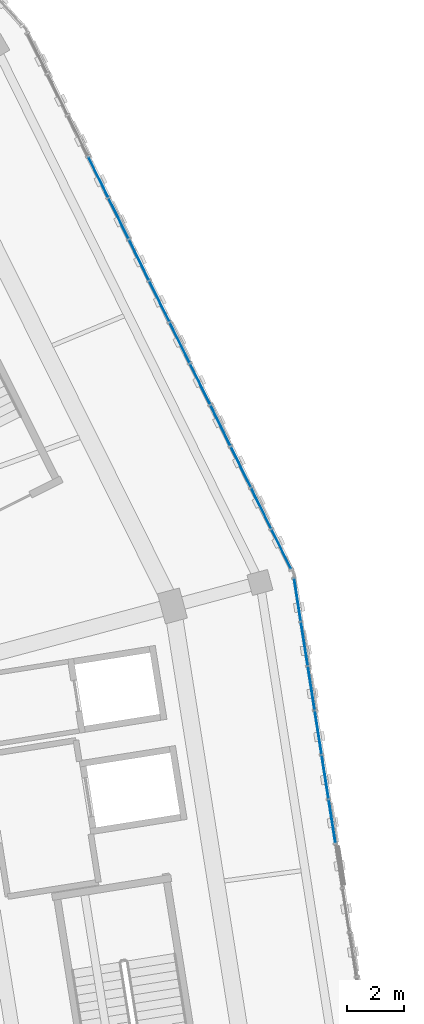
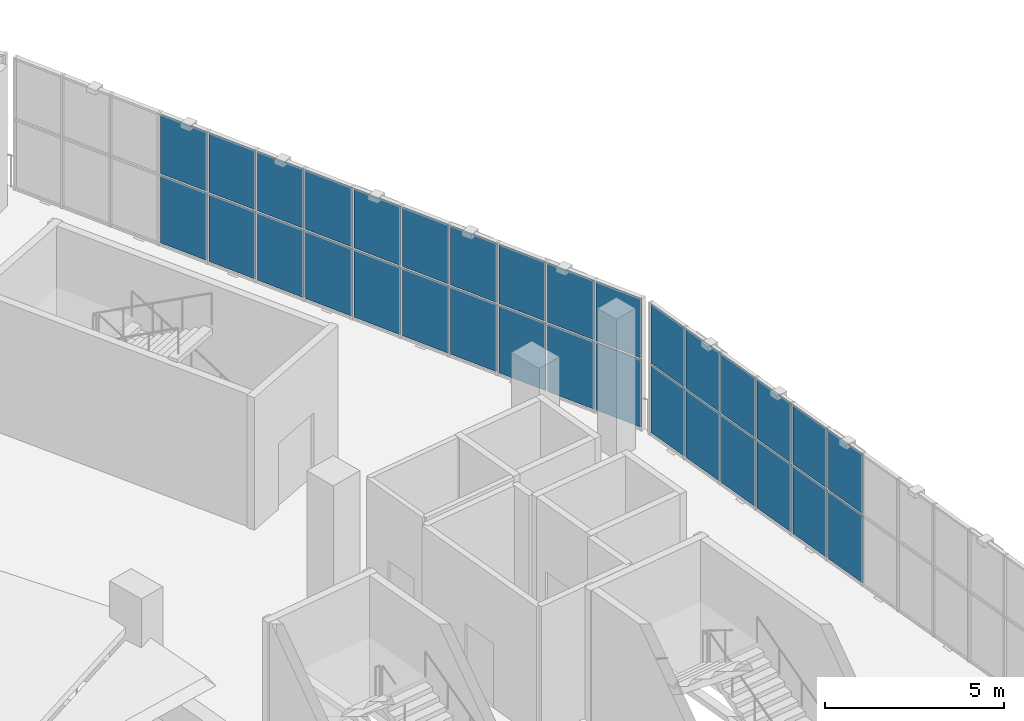
# One storey, part 85 of 183: 32 plates, 2 elements without a shape of their own.
"""IFC4 building model written with IfcOpenShell, lengths in metres."""

from ifc_helpers import new_model, si_unit, direction, frame, origin, origin_2d, place, context, subcontext, project, spatial, rectangle, extrude, material, layer, layer_set, type_object, element, aggregate, save


model = new_model("IFC4")

# Units and contexts
model_context = context("Model", 3, precision=1e-05, world=origin(), true_north=direction((0.0, 1.0)))
body_context = subcontext(model_context, "Body", "Model", "MODEL_VIEW")
ifc_project = project(units=[si_unit("LENGTHUNIT", "METRE"), si_unit("AREAUNIT", "SQUARE_METRE"), si_unit("VOLUMEUNIT", "CUBIC_METRE"), si_unit("PLANEANGLEUNIT", "RADIAN"), si_unit("MASSUNIT", "GRAM", prefix="KILO")], contexts=[model_context])

# Site, building, storey
site_placement = place(None, origin())
site = spatial("IfcSite", under=ifc_project, at=site_placement, CompositionType="ELEMENT")
building_placement = place(site_placement, origin())
building = spatial("IfcBuilding", under=site, at=building_placement, Name="Zevraka Park Crest Stadium", CompositionType="ELEMENT")
storey_placement = place(building_placement, frame((0.0, 0.0, 5.39990234375)))
storey = spatial("IfcBuildingStorey", under=building, at=storey_placement, Name="L01", CompositionType="ELEMENT", Elevation=5.39990234375)

# Curtain wall, plates
ifc_material_1 = material(Name="Anodised architectural aluminium and laminated safety glass", Category="aluminium")
curtain_wall_type_1 = type_object("IfcCurtainWallType", Name="CW01", PredefinedType="NOTDEFINED", material=ifc_material_1)
curtain_wall_1_placement = place(storey_placement, origin())
curtain_wall_1 = element("IfcCurtainWall", 1, at=curtain_wall_1_placement, inside=storey, type_object=curtain_wall_type_1, Name="Unitised Ring Curtain Wall CW01 L01-00", PredefinedType="NOTDEFINED")
ifc_material_2 = material(Name="Solar-control laminated double glazing", Category="glass")
ifc_layer_1 = layer(ifc_material_2, 0.028076171875)
ifc_layer_set_1 = layer_set([ifc_layer_1], Name="Solar-control laminated double glazing")
plate_type_1 = type_object("IfcPlateType", Name="CP01", PredefinedType="CURTAIN_PANEL", material=ifc_layer_set_1)
plate_1_placement = place(storey_placement, frame((204.86083984375, 103.882080078125, 0.06005859375), z_axis=(0.0, 0.0, 1.0), x_axis=(-0.154475977394, 0.987996544735, 0.0)))
plate_1 = element("IfcPlate", 2, at=plate_1_placement, type_object=plate_type_1, Name="CW01 panel 8.1", PredefinedType="CURTAIN_PANEL", context=body_context, shape_type="SweptSolid", body=[
    extrude(rectangle(XDim=1.526611328125, YDim=0.028076171875, at=origin_2d()), origin(), (0.0, 0.0, 1.0), 2.31005859375),
])
plate_2_placement = place(storey_placement, frame((204.86083984375, 103.882080078125, 2.43017578125), z_axis=(0.0, 0.0, 1.0), x_axis=(-0.154475977394, 0.987996544735, 0.0)))
plate_2 = element("IfcPlate", 3, at=plate_2_placement, type_object=plate_type_1, Name="CW01 panel 8.2", PredefinedType="CURTAIN_PANEL", context=body_context, shape_type="SweptSolid", body=[
    extrude(rectangle(XDim=1.526611328125, YDim=0.028076171875, at=origin_2d()), origin(), (0.0, 0.0, 1.0), 2.030029296875),
])
plate_3_placement = place(storey_placement, frame((204.615966796875, 105.449462890625, 0.06005859375), z_axis=(0.0, 0.0, 1.0), x_axis=(-0.154475977394, 0.987996544735, 0.0)))
plate_3 = element("IfcPlate", 4, at=plate_3_placement, type_object=plate_type_1, Name="CW01 panel 9.1", PredefinedType="CURTAIN_PANEL", context=body_context, shape_type="SweptSolid", body=[
    extrude(rectangle(XDim=1.526611328125, YDim=0.028076171875, at=origin_2d()), origin(), (0.0, 0.0, 1.0), 2.31005859375),
])
plate_4_placement = place(storey_placement, frame((204.615966796875, 105.449462890625, 2.43017578125), z_axis=(0.0, 0.0, 1.0), x_axis=(-0.154475977394, 0.987996544735, 0.0)))
plate_4 = element("IfcPlate", 5, at=plate_4_placement, type_object=plate_type_1, Name="CW01 panel 9.2", PredefinedType="CURTAIN_PANEL", context=body_context, shape_type="SweptSolid", body=[
    extrude(rectangle(XDim=1.526611328125, YDim=0.028076171875, at=origin_2d()), origin(), (0.0, 0.0, 1.0), 2.030029296875),
])
plate_5_placement = place(storey_placement, frame((204.370849609375, 107.016845703125, 0.06005859375), z_axis=(0.0, 0.0, 1.0), x_axis=(-0.154475977394, 0.987996544735, 0.0)))
plate_5 = element("IfcPlate", 6, at=plate_5_placement, type_object=plate_type_1, Name="CW01 panel 10.1", PredefinedType="CURTAIN_PANEL", context=body_context, shape_type="SweptSolid", body=[
    extrude(rectangle(XDim=1.526611328125, YDim=0.028076171875, at=origin_2d()), origin(), (0.0, 0.0, 1.0), 2.31005859375),
])
plate_6_placement = place(storey_placement, frame((204.370849609375, 107.016845703125, 2.43017578125), z_axis=(0.0, 0.0, 1.0), x_axis=(-0.154475977394, 0.987996544735, 0.0)))
plate_6 = element("IfcPlate", 7, at=plate_6_placement, type_object=plate_type_1, Name="CW01 panel 10.2", PredefinedType="CURTAIN_PANEL", context=body_context, shape_type="SweptSolid", body=[
    extrude(rectangle(XDim=1.526611328125, YDim=0.028076171875, at=origin_2d()), origin(), (0.0, 0.0, 1.0), 2.030029296875),
])
plate_7_placement = place(storey_placement, frame((204.125732421875, 108.584228515625, 0.06005859375), z_axis=(0.0, 0.0, 1.0), x_axis=(-0.154475977394, 0.987996544735, 0.0)))
plate_7 = element("IfcPlate", 8, at=plate_7_placement, type_object=plate_type_1, Name="CW01 panel 11.1", PredefinedType="CURTAIN_PANEL", context=body_context, shape_type="SweptSolid", body=[
    extrude(rectangle(XDim=1.526611328125, YDim=0.028076171875, at=origin_2d()), origin(), (0.0, 0.0, 1.0), 2.31005859375),
])
plate_8_placement = place(storey_placement, frame((204.125732421875, 108.584228515625, 2.43017578125), z_axis=(0.0, 0.0, 1.0), x_axis=(-0.154475977394, 0.987996544735, 0.0)))
plate_8 = element("IfcPlate", 9, at=plate_8_placement, type_object=plate_type_1, Name="CW01 panel 11.2", PredefinedType="CURTAIN_PANEL", context=body_context, shape_type="SweptSolid", body=[
    extrude(rectangle(XDim=1.526611328125, YDim=0.028076171875, at=origin_2d()), origin(), (0.0, 0.0, 1.0), 2.030029296875),
])
plate_9_placement = place(storey_placement, frame((203.880615234375, 110.15185546875, 0.06005859375), z_axis=(0.0, 0.0, 1.0), x_axis=(-0.154475977394, 0.987996544735, 0.0)))
plate_9 = element("IfcPlate", 10, at=plate_9_placement, type_object=plate_type_1, Name="CW01 panel 12.1", PredefinedType="CURTAIN_PANEL", context=body_context, shape_type="SweptSolid", body=[
    extrude(rectangle(XDim=1.526611328125, YDim=0.028076171875, at=origin_2d()), origin(), (0.0, 0.0, 1.0), 2.31005859375),
])
plate_10_placement = place(storey_placement, frame((203.880615234375, 110.15185546875, 2.43017578125), z_axis=(0.0, 0.0, 1.0), x_axis=(-0.154475977394, 0.987996544735, 0.0)))
plate_10 = element("IfcPlate", 11, at=plate_10_placement, type_object=plate_type_1, Name="CW01 panel 12.2", PredefinedType="CURTAIN_PANEL", context=body_context, shape_type="SweptSolid", body=[
    extrude(rectangle(XDim=1.526611328125, YDim=0.028076171875, at=origin_2d()), origin(), (0.0, 0.0, 1.0), 2.030029296875),
])
plate_11_placement = place(storey_placement, frame((203.637939453125, 111.704345703125, 0.06005859375), z_axis=(0.0, 0.0, 1.0), x_axis=(-0.154475977394, 0.987996544735, 0.0)))
plate_11 = element("IfcPlate", 12, at=plate_11_placement, type_object=plate_type_1, Name="CW01 panel 13.1", PredefinedType="CURTAIN_PANEL", context=body_context, shape_type="SweptSolid", body=[
    extrude(rectangle(XDim=1.49658203125, YDim=0.028076171875, at=origin_2d()), origin(), (0.0, 0.0, 1.0), 2.31005859375),
])
plate_12_placement = place(storey_placement, frame((203.637939453125, 111.704345703125, 2.43017578125), z_axis=(0.0, 0.0, 1.0), x_axis=(-0.154475977394, 0.987996544735, 0.0)))
plate_12 = element("IfcPlate", 13, at=plate_12_placement, type_object=plate_type_1, Name="CW01 panel 13.2", PredefinedType="CURTAIN_PANEL", context=body_context, shape_type="SweptSolid", body=[
    extrude(rectangle(XDim=1.49658203125, YDim=0.028076171875, at=origin_2d()), origin(), (0.0, 0.0, 1.0), 2.030029296875),
])
aggregate(curtain_wall_1, [plate_1, plate_2, plate_3, plate_4, plate_5, plate_6, plate_7, plate_8, plate_9, plate_10, plate_11, plate_12])

ifc_material_3 = material(Name="Anodised architectural aluminium and laminated safety glass", Category="aluminium")
curtain_wall_type_2 = type_object("IfcCurtainWallType", Name="CW02", PredefinedType="NOTDEFINED", material=ifc_material_3)
curtain_wall_2_placement = place(storey_placement, origin())
curtain_wall_2 = element("IfcCurtainWall", 14, at=curtain_wall_2_placement, inside=storey, type_object=curtain_wall_type_2, Name="Unitised Ring Curtain Wall CW02 L01-01", PredefinedType="NOTDEFINED")
ifc_material_4 = material(Name="Solar-control laminated double glazing", Category="glass")
ifc_layer_2 = layer(ifc_material_4, 0.028076171875)
ifc_layer_set_2 = layer_set([ifc_layer_2], Name="Solar-control laminated double glazing")
plate_type_2 = type_object("IfcPlateType", Name="CP02", PredefinedType="CURTAIN_PANEL", material=ifc_layer_set_2)
plate_13_placement = place(storey_placement, frame((203.0693359375, 113.4892578125, 0.06494140625), z_axis=(0.0, 0.0, 1.0), x_axis=(-0.44151730924, 0.897252732312, 0.0)))
plate_13 = element("IfcPlate", 15, at=plate_13_placement, type_object=plate_type_2, Name="CW02 panel 1.1", PredefinedType="CURTAIN_PANEL", context=body_context, shape_type="SweptSolid", body=[
    extrude(rectangle(XDim=1.531005859375, YDim=0.028076171875, at=origin_2d()), origin(), (0.0, 0.0, 1.0), 2.302490234375),
])
plate_14_placement = place(storey_placement, frame((203.0693359375, 113.4892578125, 2.4326171875), z_axis=(0.0, 0.0, 1.0), x_axis=(-0.44151730924, 0.897252732312, 0.0)))
plate_14 = element("IfcPlate", 16, at=plate_14_placement, type_object=plate_type_2, Name="CW02 panel 1.2", PredefinedType="CURTAIN_PANEL", context=body_context, shape_type="SweptSolid", body=[
    extrude(rectangle(XDim=1.531005859375, YDim=0.028076171875, at=origin_2d()), origin(), (0.0, 0.0, 1.0), 2.0224609375),
])
plate_15_placement = place(storey_placement, frame((202.357421875, 114.935791015625, 0.06494140625), z_axis=(0.0, 0.0, 1.0), x_axis=(-0.44151730924, 0.897252732312, 0.0)))
plate_15 = element("IfcPlate", 17, at=plate_15_placement, type_object=plate_type_2, Name="CW02 panel 2.1", PredefinedType="CURTAIN_PANEL", context=body_context, shape_type="SweptSolid", body=[
    extrude(rectangle(XDim=1.5634765625, YDim=0.028076171875, at=origin_2d()), origin(), (0.0, 0.0, 1.0), 2.302490234375),
])
plate_16_placement = place(storey_placement, frame((202.357421875, 114.935791015625, 2.4326171875), z_axis=(0.0, 0.0, 1.0), x_axis=(-0.44151730924, 0.897252732312, 0.0)))
plate_16 = element("IfcPlate", 18, at=plate_16_placement, type_object=plate_type_2, Name="CW02 panel 2.2", PredefinedType="CURTAIN_PANEL", context=body_context, shape_type="SweptSolid", body=[
    extrude(rectangle(XDim=1.5634765625, YDim=0.028076171875, at=origin_2d()), origin(), (0.0, 0.0, 1.0), 2.0224609375),
])
plate_17_placement = place(storey_placement, frame((201.638427734375, 116.39697265625, 0.06494140625), z_axis=(0.0, 0.0, 1.0), x_axis=(-0.44151730924, 0.897252732312, 0.0)))
plate_17 = element("IfcPlate", 19, at=plate_17_placement, type_object=plate_type_2, Name="CW02 panel 3.1", PredefinedType="CURTAIN_PANEL", context=body_context, shape_type="SweptSolid", body=[
    extrude(rectangle(XDim=1.5634765625, YDim=0.028076171875, at=origin_2d()), origin(), (0.0, 0.0, 1.0), 2.302490234375),
])
plate_18_placement = place(storey_placement, frame((201.638427734375, 116.39697265625, 2.4326171875), z_axis=(0.0, 0.0, 1.0), x_axis=(-0.44151730924, 0.897252732312, 0.0)))
plate_18 = element("IfcPlate", 20, at=plate_18_placement, type_object=plate_type_2, Name="CW02 panel 3.2", PredefinedType="CURTAIN_PANEL", context=body_context, shape_type="SweptSolid", body=[
    extrude(rectangle(XDim=1.5634765625, YDim=0.028076171875, at=origin_2d()), origin(), (0.0, 0.0, 1.0), 2.0224609375),
])
plate_19_placement = place(storey_placement, frame((200.91943359375, 117.858154296875, 0.06494140625), z_axis=(0.0, 0.0, 1.0), x_axis=(-0.44151730924, 0.897252732312, 0.0)))
plate_19 = element("IfcPlate", 21, at=plate_19_placement, type_object=plate_type_2, Name="CW02 panel 4.1", PredefinedType="CURTAIN_PANEL", context=body_context, shape_type="SweptSolid", body=[
    extrude(rectangle(XDim=1.5634765625, YDim=0.028076171875, at=origin_2d()), origin(), (0.0, 0.0, 1.0), 2.302490234375),
])
plate_20_placement = place(storey_placement, frame((200.91943359375, 117.858154296875, 2.4326171875), z_axis=(0.0, 0.0, 1.0), x_axis=(-0.44151730924, 0.897252732312, 0.0)))
plate_20 = element("IfcPlate", 22, at=plate_20_placement, type_object=plate_type_2, Name="CW02 panel 4.2", PredefinedType="CURTAIN_PANEL", context=body_context, shape_type="SweptSolid", body=[
    extrude(rectangle(XDim=1.5634765625, YDim=0.028076171875, at=origin_2d()), origin(), (0.0, 0.0, 1.0), 2.0224609375),
])
plate_21_placement = place(storey_placement, frame((200.200439453125, 119.319091796875, 0.06494140625), z_axis=(0.0, 0.0, 1.0), x_axis=(-0.44151730924, 0.897252732312, 0.0)))
plate_21 = element("IfcPlate", 23, at=plate_21_placement, type_object=plate_type_2, Name="CW02 panel 5.1", PredefinedType="CURTAIN_PANEL", context=body_context, shape_type="SweptSolid", body=[
    extrude(rectangle(XDim=1.5634765625, YDim=0.028076171875, at=origin_2d()), origin(), (0.0, 0.0, 1.0), 2.302490234375),
])
plate_22_placement = place(storey_placement, frame((200.200439453125, 119.319091796875, 2.4326171875), z_axis=(0.0, 0.0, 1.0), x_axis=(-0.44151730924, 0.897252732312, 0.0)))
plate_22 = element("IfcPlate", 24, at=plate_22_placement, type_object=plate_type_2, Name="CW02 panel 5.2", PredefinedType="CURTAIN_PANEL", context=body_context, shape_type="SweptSolid", body=[
    extrude(rectangle(XDim=1.5634765625, YDim=0.028076171875, at=origin_2d()), origin(), (0.0, 0.0, 1.0), 2.0224609375),
])
plate_23_placement = place(storey_placement, frame((199.4814453125, 120.7802734375, 0.06494140625), z_axis=(0.0, 0.0, 1.0), x_axis=(-0.44151730924, 0.897252732312, 0.0)))
plate_23 = element("IfcPlate", 25, at=plate_23_placement, type_object=plate_type_2, Name="CW02 panel 6.1", PredefinedType="CURTAIN_PANEL", context=body_context, shape_type="SweptSolid", body=[
    extrude(rectangle(XDim=1.5634765625, YDim=0.028076171875, at=origin_2d()), origin(), (0.0, 0.0, 1.0), 2.302490234375),
])
plate_24_placement = place(storey_placement, frame((199.4814453125, 120.7802734375, 2.4326171875), z_axis=(0.0, 0.0, 1.0), x_axis=(-0.44151730924, 0.897252732312, 0.0)))
plate_24 = element("IfcPlate", 26, at=plate_24_placement, type_object=plate_type_2, Name="CW02 panel 6.2", PredefinedType="CURTAIN_PANEL", context=body_context, shape_type="SweptSolid", body=[
    extrude(rectangle(XDim=1.5634765625, YDim=0.028076171875, at=origin_2d()), origin(), (0.0, 0.0, 1.0), 2.0224609375),
])
plate_25_placement = place(storey_placement, frame((198.762451171875, 122.241455078125, 0.06494140625), z_axis=(0.0, 0.0, 1.0), x_axis=(-0.44151730924, 0.897252732312, 0.0)))
plate_25 = element("IfcPlate", 27, at=plate_25_placement, type_object=plate_type_2, Name="CW02 panel 7.1", PredefinedType="CURTAIN_PANEL", context=body_context, shape_type="SweptSolid", body=[
    extrude(rectangle(XDim=1.5634765625, YDim=0.028076171875, at=origin_2d()), origin(), (0.0, 0.0, 1.0), 2.302490234375),
])
plate_26_placement = place(storey_placement, frame((198.762451171875, 122.241455078125, 2.4326171875), z_axis=(0.0, 0.0, 1.0), x_axis=(-0.44151730924, 0.897252732312, 0.0)))
plate_26 = element("IfcPlate", 28, at=plate_26_placement, type_object=plate_type_2, Name="CW02 panel 7.2", PredefinedType="CURTAIN_PANEL", context=body_context, shape_type="SweptSolid", body=[
    extrude(rectangle(XDim=1.5634765625, YDim=0.028076171875, at=origin_2d()), origin(), (0.0, 0.0, 1.0), 2.0224609375),
])
plate_27_placement = place(storey_placement, frame((198.04345703125, 123.70263671875, 0.06494140625), z_axis=(0.0, 0.0, 1.0), x_axis=(-0.44151730924, 0.897252732312, 0.0)))
plate_27 = element("IfcPlate", 29, at=plate_27_placement, type_object=plate_type_2, Name="CW02 panel 8.1", PredefinedType="CURTAIN_PANEL", context=body_context, shape_type="SweptSolid", body=[
    extrude(rectangle(XDim=1.5634765625, YDim=0.028076171875, at=origin_2d()), origin(), (0.0, 0.0, 1.0), 2.302490234375),
])
plate_28_placement = place(storey_placement, frame((198.04345703125, 123.70263671875, 2.4326171875), z_axis=(0.0, 0.0, 1.0), x_axis=(-0.44151730924, 0.897252732312, 0.0)))
plate_28 = element("IfcPlate", 30, at=plate_28_placement, type_object=plate_type_2, Name="CW02 panel 8.2", PredefinedType="CURTAIN_PANEL", context=body_context, shape_type="SweptSolid", body=[
    extrude(rectangle(XDim=1.5634765625, YDim=0.028076171875, at=origin_2d()), origin(), (0.0, 0.0, 1.0), 2.0224609375),
])
plate_29_placement = place(storey_placement, frame((197.324462890625, 125.163818359375, 0.06494140625), z_axis=(0.0, 0.0, 1.0), x_axis=(-0.44151730924, 0.897252732312, 0.0)))
plate_29 = element("IfcPlate", 31, at=plate_29_placement, type_object=plate_type_2, Name="CW02 panel 9.1", PredefinedType="CURTAIN_PANEL", context=body_context, shape_type="SweptSolid", body=[
    extrude(rectangle(XDim=1.5634765625, YDim=0.028076171875, at=origin_2d()), origin(), (0.0, 0.0, 1.0), 2.302490234375),
])
plate_30_placement = place(storey_placement, frame((197.324462890625, 125.163818359375, 2.4326171875), z_axis=(0.0, 0.0, 1.0), x_axis=(-0.44151730924, 0.897252732312, 0.0)))
plate_30 = element("IfcPlate", 32, at=plate_30_placement, type_object=plate_type_2, Name="CW02 panel 9.2", PredefinedType="CURTAIN_PANEL", context=body_context, shape_type="SweptSolid", body=[
    extrude(rectangle(XDim=1.5634765625, YDim=0.028076171875, at=origin_2d()), origin(), (0.0, 0.0, 1.0), 2.0224609375),
])
plate_31_placement = place(storey_placement, frame((196.60546875, 126.625, 0.06494140625), z_axis=(0.0, 0.0, 1.0), x_axis=(-0.44151730924, 0.897252732312, 0.0)))
plate_31 = element("IfcPlate", 33, at=plate_31_placement, type_object=plate_type_2, Name="CW02 panel 10.1", PredefinedType="CURTAIN_PANEL", context=body_context, shape_type="SweptSolid", body=[
    extrude(rectangle(XDim=1.5634765625, YDim=0.028076171875, at=origin_2d()), origin(), (0.0, 0.0, 1.0), 2.302490234375),
])
plate_32_placement = place(storey_placement, frame((196.60546875, 126.625, 2.4326171875), z_axis=(0.0, 0.0, 1.0), x_axis=(-0.44151730924, 0.897252732312, 0.0)))
plate_32 = element("IfcPlate", 34, at=plate_32_placement, type_object=plate_type_2, Name="CW02 panel 10.2", PredefinedType="CURTAIN_PANEL", context=body_context, shape_type="SweptSolid", body=[
    extrude(rectangle(XDim=1.5634765625, YDim=0.028076171875, at=origin_2d()), origin(), (0.0, 0.0, 1.0), 2.0224609375),
])
aggregate(curtain_wall_2, [plate_13, plate_14, plate_15, plate_16, plate_17, plate_18, plate_19, plate_20, plate_21, plate_22, plate_23, plate_24, plate_25, plate_26, plate_27, plate_28, plate_29, plate_30, plate_31, plate_32])

save(model, "model.ifc")
